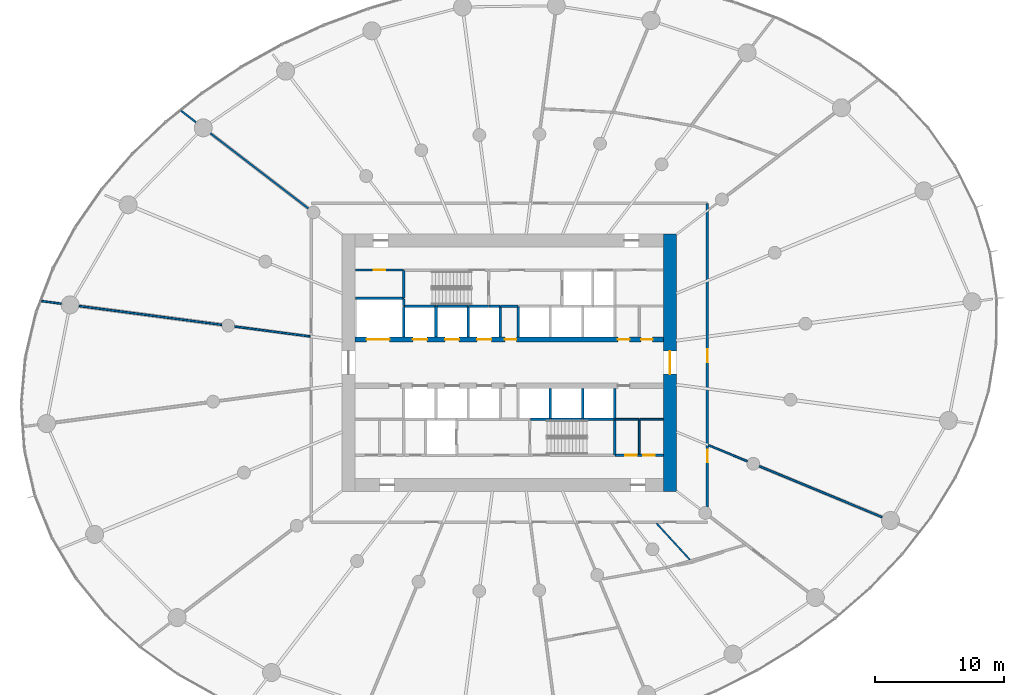
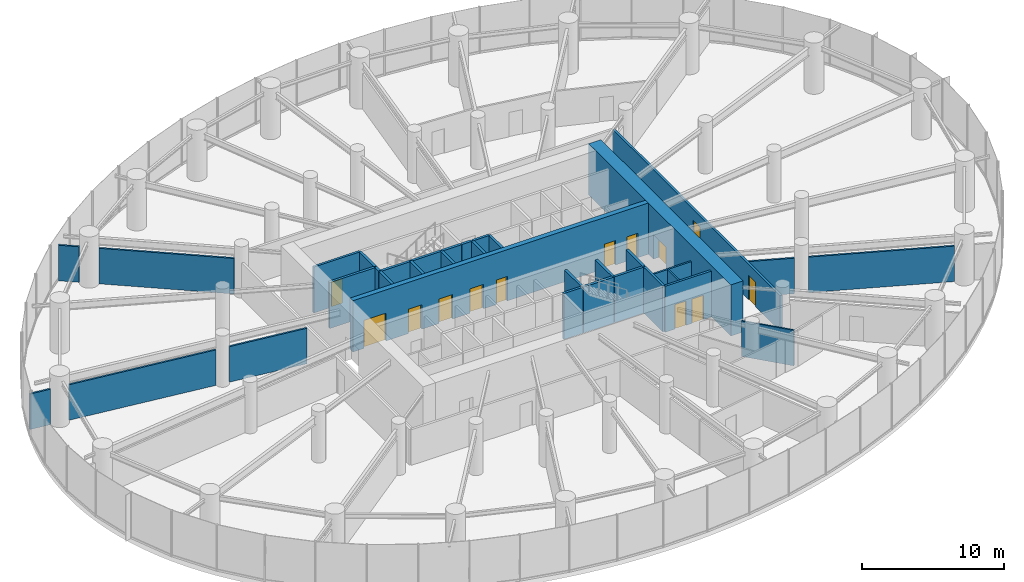
# One storey, part 13 of 18: 36 walls, 13 doors, 13 openings.
"""IFC4 building model written with IfcOpenShell, lengths in metres."""

from ifc_helpers import new_model, si_unit, direction, frame, frame_2d, origin, place, context, subcontext, project, spatial, rectangle, extrude, source, transform, mapped, material, layer, layer_set, type_object, element, fill, save


model = new_model("IFC4")

# Units and contexts
model_context = context("Model", 3, precision=1e-05, world=origin(), true_north=direction((0.0, 1.0)))
body_context = subcontext(model_context, "Body", "Model", "MODEL_VIEW")
ifc_project = project(units=[si_unit("LENGTHUNIT", "METRE"), si_unit("AREAUNIT", "SQUARE_METRE"), si_unit("VOLUMEUNIT", "CUBIC_METRE"), si_unit("PLANEANGLEUNIT", "RADIAN"), si_unit("MASSUNIT", "GRAM", prefix="KILO")], contexts=[model_context])

# Site, building, storey
site_placement = place(None, origin())
site = spatial("IfcSite", under=ifc_project, at=site_placement, CompositionType="ELEMENT")
building_placement = place(site_placement, origin())
building = spatial("IfcBuilding", under=site, at=building_placement, Name="Spindrift Exchange Tower", CompositionType="ELEMENT")
storey_placement = place(building_placement, frame((0.0, 0.0, 62.199951171875)))
storey = spatial("IfcBuildingStorey", under=building, at=storey_placement, Name="L14", CompositionType="ELEMENT", Elevation=62.199951171875)

# Wall, opening, door
ifc_material_1 = material(Name="Concrete 80 MPa", Category="concrete")
ifc_layer_1 = layer(ifc_material_1, 1.0)
ifc_layer_set_1 = layer_set([ifc_layer_1], Name="RC Core Wall 1000 Concrete 80 MPa")
wall_type_1 = type_object("IfcWallType", Name="RC Core Wall 1000 Concrete 80 MPa", PredefinedType="SHEAR", material=ifc_layer_set_1)
wall_1_placement = place(storey_placement, frame((64.5, 38.0, 0.0), z_axis=(0.0, 0.0, 1.0), x_axis=(0.0, 1.0, 0.0)))
wall_1 = element("IfcWall", 1, at=wall_1_placement, inside=storey, type_object=wall_type_1, Name="Core wall E L14", PredefinedType="SHEAR", context=body_context, shape_type="SweptSolid", body=[
    extrude(rectangle(XDim=20.0, YDim=1.0, at=frame_2d((10.0, 0.0))), origin(), (0.0, 0.0, 1.0), 4.400146484375),
])
opening_1_placement = place(wall_1_placement, frame((9.10009765625, 0.0, 0.0)))
opening_1 = element("IfcOpeningElement", 2, at=opening_1_placement, cuts=wall_1, Name="Opening L14-D2", PredefinedType="OPENING", context=body_context, shape_type="SweptSolid", body=[
    extrude(rectangle(XDim=1.800048828125, YDim=2.10009765625, at=frame_2d((0.89990234375, 1.050048828125))), frame((0.0, 0.510009765625, 0.0), z_axis=(0.0, -1.0, 0.0), x_axis=(1.0, 0.0, 0.0)), (0.0, 0.0, 1.0), 1.02001953125),
])
ifc_material_2 = material(Name="Timber-core fire door", Category="wood")
door_type_1 = type_object("IfcDoorType", Name="DR-LOBBY-1800", OperationType="NOTDEFINED", PredefinedType="DOOR", material=ifc_material_2)
shared_shape_1 = source(origin(), body_context, "Body", "SweptSolid", [
    extrude(rectangle(XDim=1.800048828125, YDim=2.10009765625, at=frame_2d((0.89990234375, 1.050048828125))), frame((0.0, 0.02490234375, 0.0), z_axis=(0.0, -1.0, 0.0), x_axis=(1.0, 0.0, 0.0)), (0.0, 0.0, 1.0), 0.050048828125),
])
door_1_placement = place(opening_1_placement, origin())
door_1 = element("IfcDoor", 3, at=door_1_placement, inside=storey, type_object=door_type_1, Name="L14 Lobby door 2", OperationType="SINGLE_SWING_LEFT", OverallHeight=2.10009765625, OverallWidth=1.800048828125, PredefinedType="DOOR", context=body_context, shape_type="MappedRepresentation", body=[
    mapped(shared_shape_1, transform((0.0, 0.0, 0.0), scale=1.0)),
])
fill(opening_1, door_1)

# Wall, openings, doors
ifc_layer_2 = layer(ifc_material_1, 0.39990234375)
ifc_layer_set_2 = layer_set([ifc_layer_2], Name="RC Spine Wall 400 Concrete 80 MPa")
wall_type_2 = type_object("IfcWallType", Name="RC Spine Wall 400 Concrete 80 MPa", PredefinedType="SHEAR", material=ifc_layer_set_2)
wall_2_placement = place(storey_placement, frame((40.0, 49.800048828125, 0.0), z_axis=(0.0, 0.0, 1.0), x_axis=(1.0, 0.0, 0.0)))
wall_2 = element("IfcWall", 4, at=wall_2_placement, inside=storey, type_object=wall_type_2, Name="Core spine wall N L14", PredefinedType="SHEAR", context=body_context, shape_type="SweptSolid", body=[
    extrude(rectangle(XDim=24.0, YDim=0.39990234375, at=frame_2d((12.0, 0.0))), origin(), (0.0, 0.0, 1.0), 4.400146484375),
])
opening_2_placement = place(wall_2_placement, frame((4.5, 0.0, 0.0)))
opening_2 = element("IfcOpeningElement", 5, at=opening_2_placement, cuts=wall_2, Name="Opening L14-D3", PredefinedType="OPENING", context=body_context, shape_type="SweptSolid", body=[
    extrude(rectangle(XDim=1.10009765625, YDim=2.10009765625, at=frame_2d((0.550048828125, 1.050048828125))), frame((0.0, 0.2099609375, 0.0), z_axis=(0.0, -1.0, 0.0), x_axis=(1.0, 0.0, 0.0)), (0.0, 0.0, 1.0), 0.419921875),
])
opening_3_placement = place(wall_2_placement, frame((7.0, 0.0, 0.0)))
opening_3 = element("IfcOpeningElement", 6, at=opening_3_placement, cuts=wall_2, Name="Opening L14-D4", PredefinedType="OPENING", context=body_context, shape_type="SweptSolid", body=[
    extrude(rectangle(XDim=1.10009765625, YDim=2.10009765625, at=frame_2d((0.550048828125, 1.050048828125))), frame((0.0, 0.2099609375, 0.0), z_axis=(0.0, -1.0, 0.0), x_axis=(1.0, 0.0, 0.0)), (0.0, 0.0, 1.0), 0.419921875),
])
opening_4_placement = place(wall_2_placement, frame((9.5, 0.0, 0.0)))
opening_4 = element("IfcOpeningElement", 7, at=opening_4_placement, cuts=wall_2, Name="Opening L14-D5", PredefinedType="OPENING", context=body_context, shape_type="SweptSolid", body=[
    extrude(rectangle(XDim=1.10009765625, YDim=2.10009765625, at=frame_2d((0.550048828125, 1.050048828125))), frame((0.0, 0.2099609375, 0.0), z_axis=(0.0, -1.0, 0.0), x_axis=(1.0, 0.0, 0.0)), (0.0, 0.0, 1.0), 0.419921875),
])
opening_5_placement = place(wall_2_placement, frame((0.89990234375, 0.0, 0.0)))
opening_5 = element("IfcOpeningElement", 8, at=opening_5_placement, cuts=wall_2, Name="Opening L14-D12", PredefinedType="OPENING", context=body_context, shape_type="SweptSolid", body=[
    extrude(rectangle(XDim=1.800048828125, YDim=2.39990234375, at=frame_2d((0.89990234375, 1.199951171875))), frame((0.0, 0.2099609375, 0.0), z_axis=(0.0, -1.0, 0.0), x_axis=(1.0, 0.0, 0.0)), (0.0, 0.0, 1.0), 0.419921875),
])
opening_6_placement = place(wall_2_placement, frame((20.449951171875, 0.0, 0.0)))
opening_6 = element("IfcOpeningElement", 9, at=opening_6_placement, cuts=wall_2, Name="Opening L14-D46", PredefinedType="OPENING", context=body_context, shape_type="SweptSolid", body=[
    extrude(rectangle(XDim=0.89990234375, YDim=2.10009765625, at=frame_2d((0.449951171875, 1.050048828125))), frame((0.0, 0.2099609375, 0.0), z_axis=(0.0, -1.0, 0.0), x_axis=(1.0, 0.0, 0.0)), (0.0, 0.0, 1.0), 0.419921875),
])
opening_7_placement = place(wall_2_placement, frame((22.25, 0.0, 0.0)))
opening_7 = element("IfcOpeningElement", 10, at=opening_7_placement, cuts=wall_2, Name="Opening L14-D47", PredefinedType="OPENING", context=body_context, shape_type="SweptSolid", body=[
    extrude(rectangle(XDim=0.89990234375, YDim=2.10009765625, at=frame_2d((0.449951171875, 1.050048828125))), frame((0.0, 0.2099609375, 0.0), z_axis=(0.0, -1.0, 0.0), x_axis=(1.0, 0.0, 0.0)), (0.0, 0.0, 1.0), 0.419921875),
])
opening_8_placement = place(wall_2_placement, frame((11.64990234375, 0.0, 0.0)))
opening_8 = element("IfcOpeningElement", 11, at=opening_8_placement, cuts=wall_2, Name="Opening L14-D52", PredefinedType="OPENING", context=body_context, shape_type="SweptSolid", body=[
    extrude(rectangle(XDim=0.89990234375, YDim=2.10009765625, at=frame_2d((0.449951171875, 1.050048828125))), frame((0.0, 0.2099609375, 0.0), z_axis=(0.0, -1.0, 0.0), x_axis=(1.0, 0.0, 0.0)), (0.0, 0.0, 1.0), 0.419921875),
])
ifc_material_3 = material(Name="Stainless steel landing door", Category="steel")
door_type_2 = type_object("IfcDoorType", Name="DR-LANDING-1100-SL", OperationType="DOUBLE_DOOR_SLIDING", PredefinedType="USERDEFINED", material=ifc_material_3)
shared_shape_2 = source(origin(), body_context, "Body", "SweptSolid", [
    extrude(rectangle(XDim=1.10009765625, YDim=2.10009765625, at=frame_2d((0.550048828125, 1.050048828125))), frame((0.0, 0.02490234375, 0.0), z_axis=(0.0, -1.0, 0.0), x_axis=(1.0, 0.0, 0.0)), (0.0, 0.0, 1.0), 0.050048828125),
])
door_2_placement = place(opening_2_placement, origin())
door_2 = element("IfcDoor", 12, at=door_2_placement, inside=storey, type_object=door_type_2, Name="L14 Lift landing door 3", ObjectType="LANDING DOOR", OperationType="DOUBLE_DOOR_SLIDING", OverallHeight=2.10009765625, OverallWidth=1.10009765625, PredefinedType="USERDEFINED", context=body_context, shape_type="MappedRepresentation", body=[
    mapped(shared_shape_2, transform((0.0, 0.0, 0.0), scale=1.0)),
])
fill(opening_2, door_2)
door_3_placement = place(opening_3_placement, origin())
door_3 = element("IfcDoor", 13, at=door_3_placement, inside=storey, type_object=door_type_2, Name="L14 Lift landing door 4", ObjectType="LANDING DOOR", OperationType="DOUBLE_DOOR_SLIDING", OverallHeight=2.10009765625, OverallWidth=1.10009765625, PredefinedType="USERDEFINED", context=body_context, shape_type="MappedRepresentation", body=[
    mapped(shared_shape_2, transform((0.0, 0.0, 0.0), scale=1.0)),
])
fill(opening_3, door_3)
door_4_placement = place(opening_4_placement, origin())
door_4 = element("IfcDoor", 14, at=door_4_placement, inside=storey, type_object=door_type_2, Name="L14 Lift landing door 5", ObjectType="LANDING DOOR", OperationType="DOUBLE_DOOR_SLIDING", OverallHeight=2.10009765625, OverallWidth=1.10009765625, PredefinedType="USERDEFINED", context=body_context, shape_type="MappedRepresentation", body=[
    mapped(shared_shape_2, transform((0.0, 0.0, 0.0), scale=1.0)),
])
fill(opening_4, door_4)
door_type_3 = type_object("IfcDoorType", Name="DR-LANDING-1800-SL", OperationType="DOUBLE_DOOR_SLIDING", PredefinedType="USERDEFINED", material=ifc_material_3)
shared_shape_3 = source(origin(), body_context, "Body", "SweptSolid", [
    extrude(rectangle(XDim=1.800048828125, YDim=2.39990234375, at=frame_2d((0.89990234375, 1.199951171875))), frame((0.0, 0.02490234375, 0.0), z_axis=(0.0, -1.0, 0.0), x_axis=(1.0, 0.0, 0.0)), (0.0, 0.0, 1.0), 0.050048828125),
])
door_5_placement = place(opening_5_placement, origin())
door_5 = element("IfcDoor", 15, at=door_5_placement, inside=storey, type_object=door_type_3, Name="L14 Lift landing door 12", ObjectType="LANDING DOOR", OperationType="DOUBLE_DOOR_SLIDING", OverallHeight=2.39990234375, OverallWidth=1.800048828125, PredefinedType="USERDEFINED", context=body_context, shape_type="MappedRepresentation", body=[
    mapped(shared_shape_3, transform((0.0, 0.0, 0.0), scale=1.0)),
])
fill(opening_5, door_5)
ifc_material_4 = material(Name="Steel access door", Category="steel")
door_type_4 = type_object("IfcDoorType", Name="DR-RISER-900", OperationType="NOTDEFINED", PredefinedType="DOOR", material=ifc_material_4)
shared_shape_4 = source(origin(), body_context, "Body", "SweptSolid", [
    extrude(rectangle(XDim=0.89990234375, YDim=2.10009765625, at=frame_2d((0.449951171875, 1.050048828125))), frame((0.0, 0.02490234375, 0.0), z_axis=(0.0, -1.0, 0.0), x_axis=(1.0, 0.0, 0.0)), (0.0, 0.0, 1.0), 0.050048828125),
])
door_6_placement = place(opening_6_placement, origin())
door_6 = element("IfcDoor", 16, at=door_6_placement, inside=storey, type_object=door_type_4, Name="L14 Riser door 46", OperationType="SINGLE_SWING_LEFT", OverallHeight=2.10009765625, OverallWidth=0.89990234375, PredefinedType="DOOR", context=body_context, shape_type="MappedRepresentation", body=[
    mapped(shared_shape_4, transform((0.0, 0.0, 0.0), scale=1.0)),
])
fill(opening_6, door_6)
door_7_placement = place(opening_7_placement, origin())
door_7 = element("IfcDoor", 17, at=door_7_placement, inside=storey, type_object=door_type_4, Name="L14 Riser door 47", OperationType="SINGLE_SWING_RIGHT", OverallHeight=2.10009765625, OverallWidth=0.89990234375, PredefinedType="DOOR", context=body_context, shape_type="MappedRepresentation", body=[
    mapped(shared_shape_4, transform((0.0, 0.0, 0.0), scale=1.0)),
])
fill(opening_7, door_7)
door_8_placement = place(opening_8_placement, origin())
door_8 = element("IfcDoor", 18, at=door_8_placement, inside=storey, type_object=door_type_4, Name="L14 Riser door 52", OperationType="SINGLE_SWING_LEFT", OverallHeight=2.10009765625, OverallWidth=0.89990234375, PredefinedType="DOOR", context=body_context, shape_type="MappedRepresentation", body=[
    mapped(shared_shape_4, transform((0.0, 0.0, 0.0), scale=1.0)),
])
fill(opening_8, door_8)

# Wall, opening, door
ifc_material_5 = material(Name="Fire-rated plasterboard partition", Category="gypsum")
ifc_layer_3 = layer(ifc_material_5, 0.179931640625)
ifc_layer_set_3 = layer_set([ifc_layer_3], Name="W-CORR-180")
wall_type_3 = type_object("IfcWallType", Name="W-CORR-180", PredefinedType="PARTITIONING", material=ifc_layer_set_3)
wall_3_placement = place(storey_placement, frame((43.77001953125, 55.199951171875, 0.0), z_axis=(0.0, 0.0, 1.0), x_axis=(-1.0, 0.0, 0.0)))
wall_3 = element("IfcWall", 19, at=wall_3_placement, inside=storey, type_object=wall_type_3, Name="L14 Partition wall 62", PredefinedType="PARTITIONING", context=body_context, shape_type="SweptSolid", body=[
    extrude(rectangle(XDim=3.75, YDim=0.179931640625, at=frame_2d((1.875, 0.0))), origin(), (0.0, 0.0, 1.0), 3.949951171875),
])
opening_9_placement = place(wall_3_placement, frame((1.39990234375, 0.0, 0.0)))
opening_9 = element("IfcOpeningElement", 20, at=opening_9_placement, cuts=wall_3, Name="Opening L14-D42", PredefinedType="OPENING", context=body_context, shape_type="SweptSolid", body=[
    extrude(rectangle(XDim=0.89990234375, YDim=2.10009765625, at=frame_2d((0.449951171875, 1.050048828125))), frame((0.0, 0.099853515625, 0.0), z_axis=(0.0, -1.0, 0.0), x_axis=(1.0, 0.0, 0.0)), (0.0, 0.0, 1.0), 0.199951171875),
])
door_9_placement = place(opening_9_placement, origin())
door_9 = element("IfcDoor", 21, at=door_9_placement, inside=storey, type_object=door_type_4, Name="L14 Riser door 42", OperationType="SINGLE_SWING_LEFT", OverallHeight=2.10009765625, OverallWidth=0.89990234375, PredefinedType="DOOR", context=body_context, shape_type="MappedRepresentation", body=[
    mapped(shared_shape_4, transform((0.0, 0.0, 0.0), scale=1.0)),
])
fill(opening_9, door_9)

# Wall, openings, doors
wall_4_placement = place(storey_placement, frame((60.22998046875, 40.800048828125, 0.0), z_axis=(0.0, 0.0, 1.0), x_axis=(1.0, 0.0, 0.0)))
wall_4 = element("IfcWall", 22, at=wall_4_placement, inside=storey, type_object=wall_type_3, Name="L14 Partition wall 63", PredefinedType="PARTITIONING", context=body_context, shape_type="SweptSolid", body=[
    extrude(rectangle(XDim=3.75, YDim=0.179931640625, at=frame_2d((1.875, 0.0))), origin(), (0.0, 0.0, 1.0), 3.949951171875),
])
opening_10_placement = place(wall_4_placement, frame((0.800048828125, 0.0, 0.0)))
opening_10 = element("IfcOpeningElement", 23, at=opening_10_placement, cuts=wall_4, Name="Opening L14-D49", PredefinedType="OPENING", context=body_context, shape_type="SweptSolid", body=[
    extrude(rectangle(XDim=0.89990234375, YDim=2.10009765625, at=frame_2d((0.449951171875, 1.050048828125))), frame((0.0, 0.099853515625, 0.0), z_axis=(0.0, -1.0, 0.0), x_axis=(1.0, 0.0, 0.0)), (0.0, 0.0, 1.0), 0.199951171875),
])
opening_11_placement = place(wall_4_placement, frame((2.199951171875, 0.0, 0.0)))
opening_11 = element("IfcOpeningElement", 24, at=opening_11_placement, cuts=wall_4, Name="Opening L14-D50", PredefinedType="OPENING", context=body_context, shape_type="SweptSolid", body=[
    extrude(rectangle(XDim=0.89990234375, YDim=2.10009765625, at=frame_2d((0.449951171875, 1.050048828125))), frame((0.0, 0.099853515625, 0.0), z_axis=(0.0, -1.0, 0.0), x_axis=(1.0, 0.0, 0.0)), (0.0, 0.0, 1.0), 0.199951171875),
])
door_10_placement = place(opening_10_placement, origin())
door_10 = element("IfcDoor", 25, at=door_10_placement, inside=storey, type_object=door_type_4, Name="L14 Riser door 49", OperationType="SINGLE_SWING_RIGHT", OverallHeight=2.10009765625, OverallWidth=0.89990234375, PredefinedType="DOOR", context=body_context, shape_type="MappedRepresentation", body=[
    mapped(shared_shape_4, transform((0.0, 0.0, 0.0), scale=1.0)),
])
fill(opening_10, door_10)
door_11_placement = place(opening_11_placement, origin())
door_11 = element("IfcDoor", 26, at=door_11_placement, inside=storey, type_object=door_type_4, Name="L14 Riser door 50", OperationType="SINGLE_SWING_LEFT", OverallHeight=2.10009765625, OverallWidth=0.89990234375, PredefinedType="DOOR", context=body_context, shape_type="MappedRepresentation", body=[
    mapped(shared_shape_4, transform((0.0, 0.0, 0.0), scale=1.0)),
])
fill(opening_11, door_11)

# Walls
ifc_layer_4 = layer(ifc_material_5, 0.139892578125)
ifc_layer_set_4 = layer_set([ifc_layer_4], Name="W-PART-140")
wall_type_4 = type_object("IfcWallType", Name="W-PART-140", PredefinedType="PARTITIONING", material=ifc_layer_set_4)
wall_5_placement = place(storey_placement, frame((29.63671875, 50.944091796875, 0.0), z_axis=(0.0, 0.0, 1.0), x_axis=(-0.991443306772, 0.130538000051, 0.0)))
element("IfcWall", 27, at=wall_5_placement, inside=storey, type_object=wall_type_4, Name="L14 Partition wall 66", PredefinedType="PARTITIONING", context=body_context, shape_type="SweptSolid", body=[
    extrude(rectangle(XDim=11.1953125, YDim=0.139892578125, at=frame_2d((5.59765625, 0.0))), origin(), (0.0, 0.0, 1.0), 3.050048828125),
])
wall_6_placement = place(storey_placement, frame((36.367431640625, 59.995361328125, 0.0), z_axis=(0.0, 0.0, 1.0), x_axis=(-0.793366218398, 0.608744645566, 0.0)))
element("IfcWall", 28, at=wall_6_placement, inside=storey, type_object=wall_type_4, Name="L14 Partition wall 70", PredefinedType="PARTITIONING", context=body_context, shape_type="SweptSolid", body=[
    extrude(rectangle(XDim=9.59130859375, YDim=0.139892578125, at=frame_2d((4.795654296875, 0.0))), origin(), (0.0, 0.0, 1.0), 3.050048828125),
])
wall_7_placement = place(storey_placement, frame((36.510009765625, 50.039306640625, 0.0), z_axis=(0.0, 0.0, 1.0), x_axis=(-0.991445034615, 0.130524876315, 0.0)))
element("IfcWall", 29, at=wall_7_placement, inside=storey, type_object=wall_type_4, Name="L14 Partition wall 80", PredefinedType="PARTITIONING", context=body_context, shape_type="SweptSolid", body=[
    extrude(rectangle(XDim=5.923828125, YDim=0.139892578125, at=frame_2d((2.9619140625, 0.0))), origin(), (0.0, 0.0, 1.0), 3.050048828125),
])
wall_8_placement = place(storey_placement, frame((62.10009765625, 40.889892578125, 0.0), z_axis=(0.0, 0.0, 1.0), x_axis=(0.0, 1.0, 0.0)))
element("IfcWall", 30, at=wall_8_placement, inside=storey, type_object=wall_type_4, Name="L14 Partition wall 96", PredefinedType="PARTITIONING", context=body_context, shape_type="SweptSolid", body=[
    extrude(rectangle(XDim=2.710205078125, YDim=0.139892578125, at=frame_2d((1.35498046875, 0.0))), origin(), (0.0, 0.0, 1.0), 3.050048828125),
])
wall_9_placement = place(storey_placement, frame((60.22998046875, 43.60009765625, 0.0), z_axis=(0.0, 0.0, 1.0), x_axis=(1.0, 0.0, 0.0)))
element("IfcWall", 31, at=wall_9_placement, inside=storey, type_object=wall_type_4, Name="L14 Partition wall 102", PredefinedType="PARTITIONING", context=body_context, shape_type="SweptSolid", body=[
    extrude(rectangle(XDim=1.840087890625, YDim=0.139892578125, at=frame_2d((0.919921875, 0.0))), origin(), (0.0, 0.0, 1.0), 3.050048828125),
])
wall_10_placement = place(storey_placement, frame((62.1298828125, 43.60009765625, 0.0), z_axis=(0.0, 0.0, 1.0), x_axis=(1.0, 0.0, 0.0)))
element("IfcWall", 32, at=wall_10_placement, inside=storey, type_object=wall_type_4, Name="L14 Partition wall 105", PredefinedType="PARTITIONING", context=body_context, shape_type="SweptSolid", body=[
    extrude(rectangle(XDim=1.85009765625, YDim=0.139892578125, at=frame_2d((0.925048828125, 0.0))), origin(), (0.0, 0.0, 1.0), 3.050048828125),
])
wall_11_placement = place(storey_placement, frame((17.140625, 52.58935546875, 0.0), z_axis=(0.0, 0.0, 1.0), x_axis=(-0.991448422008, 0.130499143666, 0.0)))
element("IfcWall", 33, at=wall_11_placement, inside=storey, type_object=wall_type_4, Name="L14 Partition wall 108", PredefinedType="PARTITIONING", context=body_context, shape_type="SweptSolid", body=[
    extrude(rectangle(XDim=1.556640625, YDim=0.139892578125, at=frame_2d((0.7783203125, 0.0))), origin(), (0.0, 0.0, 1.0), 3.050048828125),
])
wall_12_placement = place(storey_placement, frame((27.640625, 66.69140625, 0.0), z_axis=(0.0, 0.0, 1.0), x_axis=(-0.793275855942, 0.608862395274, 0.0)))
element("IfcWall", 34, at=wall_12_placement, inside=storey, type_object=wall_type_4, Name="L14 Partition wall 110", PredefinedType="PARTITIONING", context=body_context, shape_type="SweptSolid", body=[
    extrude(rectangle(XDim=1.474853515625, YDim=0.139892578125, at=frame_2d((0.7373046875, 0.0))), origin(), (0.0, 0.0, 1.0), 3.050048828125),
])
ifc_layer_5 = layer(ifc_material_5, 0.139892578125)
ifc_layer_set_5 = layer_set([ifc_layer_5], Name="W-PLANT-140")
wall_type_5 = type_object("IfcWallType", Name="W-PLANT-140", PredefinedType="PARTITIONING", material=ifc_layer_set_5)
wall_13_placement = place(storey_placement, frame((71.439208984375, 39.947998046875, 0.0), z_axis=(0.0, 0.0, 1.0), x_axis=(0.923874685699, -0.382695133396, 0.0)))
element("IfcWall", 35, at=wall_13_placement, inside=storey, type_object=wall_type_5, Name="L14 Partition wall 68", PredefinedType="PARTITIONING", context=body_context, shape_type="SweptSolid", body=[
    extrude(rectangle(XDim=10.341064453125, YDim=0.139892578125, at=frame_2d((5.17041015625, 0.0))), origin(), (0.0, 0.0, 1.0), 3.050048828125),
])
wall_14_placement = place(storey_placement, frame((67.489990234375, 41.583740234375, 0.0), z_axis=(0.0, 0.0, 1.0), x_axis=(0.923911109142, -0.382607190737, 0.0)))
element("IfcWall", 36, at=wall_14_placement, inside=storey, type_object=wall_type_5, Name="L14 Partition wall 92", PredefinedType="PARTITIONING", context=body_context, shape_type="SweptSolid", body=[
    extrude(rectangle(XDim=3.264404296875, YDim=0.139892578125, at=frame_2d((1.63232421875, 0.0))), origin(), (0.0, 0.0, 1.0), 3.050048828125),
])

# Wall, openings, doors
ifc_layer_6 = layer(ifc_material_5, 0.179931640625)
ifc_layer_set_6 = layer_set([ifc_layer_6], Name="W-PLANT-180")
wall_type_6 = type_object("IfcWallType", Name="W-PLANT-180", PredefinedType="PARTITIONING", material=ifc_layer_set_6)
wall_15_placement = place(storey_placement, frame((67.39990234375, 60.3701171875, 0.0), z_axis=(0.0, 0.0, 1.0), x_axis=(0.0, -1.0, 0.0)))
wall_15 = element("IfcWall", 37, at=wall_15_placement, inside=storey, type_object=wall_type_6, Name="L14 Partition wall 59", PredefinedType="PARTITIONING", context=body_context, shape_type="SweptSolid", body=[
    extrude(rectangle(XDim=23.58251953125, YDim=0.179931640625, at=frame_2d((11.791259765625, 0.0))), origin(), (0.0, 0.0, 1.0), 3.050048828125),
])
opening_12_placement = place(wall_15_placement, frame((19.132568359375, 0.0, 0.0)))
opening_12 = element("IfcOpeningElement", 38, at=opening_12_placement, cuts=wall_15, Name="Opening L14-D27", PredefinedType="OPENING", context=body_context, shape_type="SweptSolid", body=[
    extrude(rectangle(XDim=1.0, YDim=2.10009765625, at=frame_2d((0.5, 1.050048828125))), frame((0.0, 0.099853515625, 0.0), z_axis=(0.0, -1.0, 0.0), x_axis=(1.0, 0.0, 0.0)), (0.0, 0.0, 1.0), 0.199951171875),
])
opening_13_placement = place(wall_15_placement, frame((11.33251953125, 0.0, 0.0)))
opening_13 = element("IfcOpeningElement", 39, at=opening_13_placement, cuts=wall_15, Name="Opening L14-D29", PredefinedType="OPENING", context=body_context, shape_type="SweptSolid", body=[
    extrude(rectangle(XDim=1.0, YDim=2.10009765625, at=frame_2d((0.5, 1.050048828125))), frame((0.0, 0.099853515625, 0.0), z_axis=(0.0, -1.0, 0.0), x_axis=(1.0, 0.0, 0.0)), (0.0, 0.0, 1.0), 0.199951171875),
])
door_type_5 = type_object("IfcDoorType", Name="DR-ROOM-1000", OperationType="NOTDEFINED", PredefinedType="DOOR", material=ifc_material_2)
shared_shape_5 = source(origin(), body_context, "Body", "SweptSolid", [
    extrude(rectangle(XDim=1.0, YDim=2.10009765625, at=frame_2d((0.5, 1.050048828125))), frame((0.0, 0.02490234375, 0.0), z_axis=(0.0, -1.0, 0.0), x_axis=(1.0, 0.0, 0.0)), (0.0, 0.0, 1.0), 0.050048828125),
])
door_12_placement = place(opening_12_placement, origin())
door_12 = element("IfcDoor", 40, at=door_12_placement, inside=storey, type_object=door_type_5, Name="L14 Door 27", OperationType="SINGLE_SWING_RIGHT", OverallHeight=2.10009765625, OverallWidth=1.0, PredefinedType="DOOR", context=body_context, shape_type="MappedRepresentation", body=[
    mapped(shared_shape_5, transform((0.0, 0.0, 0.0), scale=1.0)),
])
fill(opening_12, door_12)
door_13_placement = place(opening_13_placement, origin())
door_13 = element("IfcDoor", 41, at=door_13_placement, inside=storey, type_object=door_type_5, Name="L14 Door 29", OperationType="SINGLE_SWING_RIGHT", OverallHeight=2.10009765625, OverallWidth=1.0, PredefinedType="DOOR", context=body_context, shape_type="MappedRepresentation", body=[
    mapped(shared_shape_5, transform((0.0, 0.0, 0.0), scale=1.0)),
])
fill(opening_13, door_13)

# Walls
ifc_material_6 = material(Name="Concrete 40 MPa", Category="concrete")
ifc_layer_7 = layer(ifc_material_6, 0.199951171875)
ifc_layer_set_7 = layer_set([ifc_layer_7], Name="W-SHAFT-200")
wall_type_7 = type_object("IfcWallType", Name="W-SHAFT-200", PredefinedType="SOLIDWALL", material=ifc_layer_set_7)
wall_16_placement = place(storey_placement, frame((51.300048828125, 50.010009765625, 0.0), z_axis=(0.0, 0.0, 1.0), x_axis=(0.0, 1.0, 0.0)))
element("IfcWall", 42, at=wall_16_placement, inside=storey, type_object=wall_type_7, Name="L14 Shaft wall 30", PredefinedType="SOLIDWALL", context=body_context, shape_type="SweptSolid", body=[
    extrude(rectangle(XDim=2.389892578125, YDim=0.199951171875, at=frame_2d((1.19482421875, 0.0))), origin(), (0.0, 0.0, 1.0), 3.949951171875),
])
wall_17_placement = place(storey_placement, frame((52.699951171875, 52.3701171875, 0.0), z_axis=(0.0, 0.0, 1.0), x_axis=(0.0, -1.0, 0.0)))
element("IfcWall", 43, at=wall_17_placement, inside=storey, type_object=wall_type_7, Name="L14 Shaft wall 32", PredefinedType="SOLIDWALL", context=body_context, shape_type="SweptSolid", body=[
    extrude(rectangle(XDim=2.360107421875, YDim=0.199951171875, at=frame_2d((1.18017578125, 0.0))), origin(), (0.0, 0.0, 1.0), 3.949951171875),
])
wall_18_placement = place(storey_placement, frame((51.330078125, 52.39990234375, 0.0), z_axis=(0.0, 0.0, 1.0), x_axis=(1.0, 0.0, 0.0)))
element("IfcWall", 44, at=wall_18_placement, inside=storey, type_object=wall_type_7, Name="L14 Shaft wall 49", PredefinedType="SOLIDWALL", context=body_context, shape_type="SweptSolid", body=[
    extrude(rectangle(XDim=1.33984375, YDim=0.199951171875, at=frame_2d((0.669921875, 0.0))), origin(), (0.0, 0.0, 1.0), 3.949951171875),
])
ifc_layer_8 = layer(ifc_material_6, 0.199951171875)
ifc_layer_set_8 = layer_set([ifc_layer_8], Name="W-SHAFT-200-LB")
wall_type_8 = type_object("IfcWallType", Name="W-SHAFT-200-LB", PredefinedType="SOLIDWALL", material=ifc_layer_set_8)
wall_19_placement = place(storey_placement, frame((43.800048828125, 53.0, 0.0), z_axis=(0.0, 0.0, 1.0), x_axis=(-1.0, 0.0, 0.0)))
element("IfcWall", 45, at=wall_19_placement, inside=storey, type_object=wall_type_8, Name="L14 Shaft wall 5", PredefinedType="SOLIDWALL", context=body_context, shape_type="SweptSolid", body=[
    extrude(rectangle(XDim=3.780029296875, YDim=0.199951171875, at=frame_2d((1.89013671875, 0.0))), origin(), (0.0, 0.0, 1.0), 3.949951171875),
])
wall_20_placement = place(storey_placement, frame((60.199951171875, 40.830078125, 0.0), z_axis=(0.0, 0.0, 1.0), x_axis=(0.0, 1.0, 0.0)))
element("IfcWall", 46, at=wall_20_placement, inside=storey, type_object=wall_type_8, Name="L14 Shaft wall 10", PredefinedType="SOLIDWALL", context=body_context, shape_type="SweptSolid", body=[
    extrude(rectangle(XDim=2.77001953125, YDim=0.199951171875, at=frame_2d((1.385009765625, 0.0))), origin(), (0.0, 0.0, 1.0), 3.949951171875),
])
wall_21_placement = place(storey_placement, frame((46.300048828125, 52.39990234375, 0.0), z_axis=(0.0, 0.0, 1.0), x_axis=(-1.0, 0.0, 0.0)))
element("IfcWall", 47, at=wall_21_placement, inside=storey, type_object=wall_type_8, Name="L14 Shaft wall 15", PredefinedType="SOLIDWALL", context=body_context, shape_type="SweptSolid", body=[
    extrude(rectangle(XDim=2.5, YDim=0.199951171875, at=frame_2d((1.25, 0.0))), origin(), (0.0, 0.0, 1.0), 3.949951171875),
])
wall_22_placement = place(storey_placement, frame((48.800048828125, 52.39990234375, 0.0), z_axis=(0.0, 0.0, 1.0), x_axis=(-1.0, 0.0, 0.0)))
element("IfcWall", 48, at=wall_22_placement, inside=storey, type_object=wall_type_8, Name="L14 Shaft wall 16", PredefinedType="SOLIDWALL", context=body_context, shape_type="SweptSolid", body=[
    extrude(rectangle(XDim=2.469970703125, YDim=0.199951171875, at=frame_2d((1.23486328125, 0.0))), origin(), (0.0, 0.0, 1.0), 3.949951171875),
])
wall_23_placement = place(storey_placement, frame((55.199951171875, 43.60009765625, 0.0), z_axis=(0.0, 0.0, 1.0), x_axis=(1.0, 0.0, 0.0)))
element("IfcWall", 49, at=wall_23_placement, inside=storey, type_object=wall_type_8, Name="L14 Shaft wall 19", PredefinedType="SOLIDWALL", context=body_context, shape_type="SweptSolid", body=[
    extrude(rectangle(XDim=2.5, YDim=0.199951171875, at=frame_2d((1.25, 0.0))), origin(), (0.0, 0.0, 1.0), 3.949951171875),
])
wall_24_placement = place(storey_placement, frame((57.72998046875, 43.60009765625, 0.0), z_axis=(0.0, 0.0, 1.0), x_axis=(1.0, 0.0, 0.0)))
element("IfcWall", 50, at=wall_24_placement, inside=storey, type_object=wall_type_8, Name="L14 Shaft wall 20", PredefinedType="SOLIDWALL", context=body_context, shape_type="SweptSolid", body=[
    extrude(rectangle(XDim=2.43994140625, YDim=0.199951171875, at=frame_2d((1.219970703125, 0.0))), origin(), (0.0, 0.0, 1.0), 3.949951171875),
])
for number, where, z_axis, x_axis, name in (
    (51, (43.800048828125, 52.3701171875, 0.0), (0.0, 0.0, 1.0), (0.0, -1.0, 0.0), "L14 Shaft wall 24"),
    (52, (46.300048828125, 50.010009765625, 0.0), (0.0, 0.0, 1.0), (0.0, 1.0, 0.0), "L14 Shaft wall 26"),
    (53, (48.800048828125, 50.010009765625, 0.0), (0.0, 0.0, 1.0), (0.0, 1.0, 0.0), "L14 Shaft wall 28"),
    (54, (55.199951171875, 43.6298828125, 0.0), (0.0, 0.0, 1.0), (0.0, 1.0, 0.0), "L14 Shaft wall 33"),
    (55, (57.699951171875, 43.6298828125, 0.0), (0.0, 0.0, 1.0), (0.0, 1.0, 0.0), "L14 Shaft wall 35"),
    (56, (60.199951171875, 43.6298828125, 0.0), (0.0, 0.0, 1.0), (0.0, 1.0, 0.0), "L14 Shaft wall 37"),
):
    element("IfcWall", number, at=place(storey_placement, frame(where, z_axis=z_axis, x_axis=x_axis)), inside=storey, type_object=wall_type_8, Name=name, PredefinedType="SOLIDWALL", context=body_context, shape_type="SweptSolid", body=[
        extrude(rectangle(XDim=2.360107421875, YDim=0.199951171875, at=frame_2d((1.18017578125, 0.0))), origin(), (0.0, 0.0, 1.0), 3.949951171875),
    ])
wall_25_placement = place(storey_placement, frame((43.800048828125, 55.169921875, 0.0), z_axis=(0.0, 0.0, 1.0), x_axis=(0.0, -1.0, 0.0)))
element("IfcWall", 57, at=wall_25_placement, inside=storey, type_object=wall_type_8, Name="L14 Shaft wall 39", PredefinedType="SOLIDWALL", context=body_context, shape_type="SweptSolid", body=[
    extrude(rectangle(XDim=2.139892578125, YDim=0.199951171875, at=frame_2d((1.06982421875, 0.0))), origin(), (0.0, 0.0, 1.0), 3.949951171875),
])
for number, where, z_axis, x_axis, name in (
    (58, (50.3701171875, 52.39990234375, 0.0), (0.0, 0.0, 1.0), (-1.0, 0.0, 0.0), "L14 Shaft wall 45"),
    (59, (53.6298828125, 43.60009765625, 0.0), (0.0, 0.0, 1.0), (1.0, 0.0, 0.0), "L14 Shaft wall 46"),
):
    element("IfcWall", number, at=place(storey_placement, frame(where, z_axis=z_axis, x_axis=x_axis)), inside=storey, type_object=wall_type_8, Name=name, PredefinedType="SOLIDWALL", context=body_context, shape_type="SweptSolid", body=[
        extrude(rectangle(XDim=1.5400390625, YDim=0.199951171875, at=frame_2d((0.77001953125, 0.0))), origin(), (0.0, 0.0, 1.0), 3.949951171875),
    ])
wall_26_placement = place(storey_placement, frame((51.27001953125, 52.39990234375, 0.0), z_axis=(0.0, 0.0, 1.0), x_axis=(-1.0, 0.0, 0.0)))
element("IfcWall", 60, at=wall_26_placement, inside=storey, type_object=wall_type_8, Name="L14 Shaft wall 51", PredefinedType="SOLIDWALL", context=body_context, shape_type="SweptSolid", body=[
    extrude(rectangle(XDim=0.840087890625, YDim=0.199951171875, at=frame_2d((0.419921875, 0.0))), origin(), (0.0, 0.0, 1.0), 3.949951171875),
])
wall_27_placement = place(storey_placement, frame((43.800048828125, 52.429931640625, 0.0), z_axis=(0.0, 0.0, 1.0), x_axis=(0.0, 1.0, 0.0)))
element("IfcWall", 61, at=wall_27_placement, inside=storey, type_object=wall_type_8, Name="L14 Shaft wall 56", PredefinedType="SOLIDWALL", context=body_context, shape_type="SweptSolid", body=[
    extrude(rectangle(XDim=0.5400390625, YDim=0.199951171875, at=frame_2d((0.27001953125, 0.0))), origin(), (0.0, 0.0, 1.0), 3.949951171875),
])
ifc_layer_9 = layer(ifc_material_5, 0.1201171875)
ifc_layer_set_9 = layer_set([ifc_layer_9], Name="W-WET-120")
wall_type_9 = type_object("IfcWallType", Name="W-WET-120", PredefinedType="PARTITIONING", material=ifc_layer_set_9)
wall_28_placement = place(storey_placement, frame((63.445068359375, 35.510009765625, 0.0), z_axis=(0.0, 0.0, 1.0), x_axis=(0.675584349377, -0.737282704854, 0.0)))
element("IfcWall", 62, at=wall_28_placement, inside=storey, type_object=wall_type_9, Name="L14 Partition wall 119", PredefinedType="PARTITIONING", context=body_context, shape_type="SweptSolid", body=[
    extrude(rectangle(XDim=3.862060546875, YDim=0.1201171875, at=frame_2d((1.93115234375, 0.0))), origin(), (0.0, 0.0, 1.0), 3.050048828125),
])

save(model, "model.ifc")
